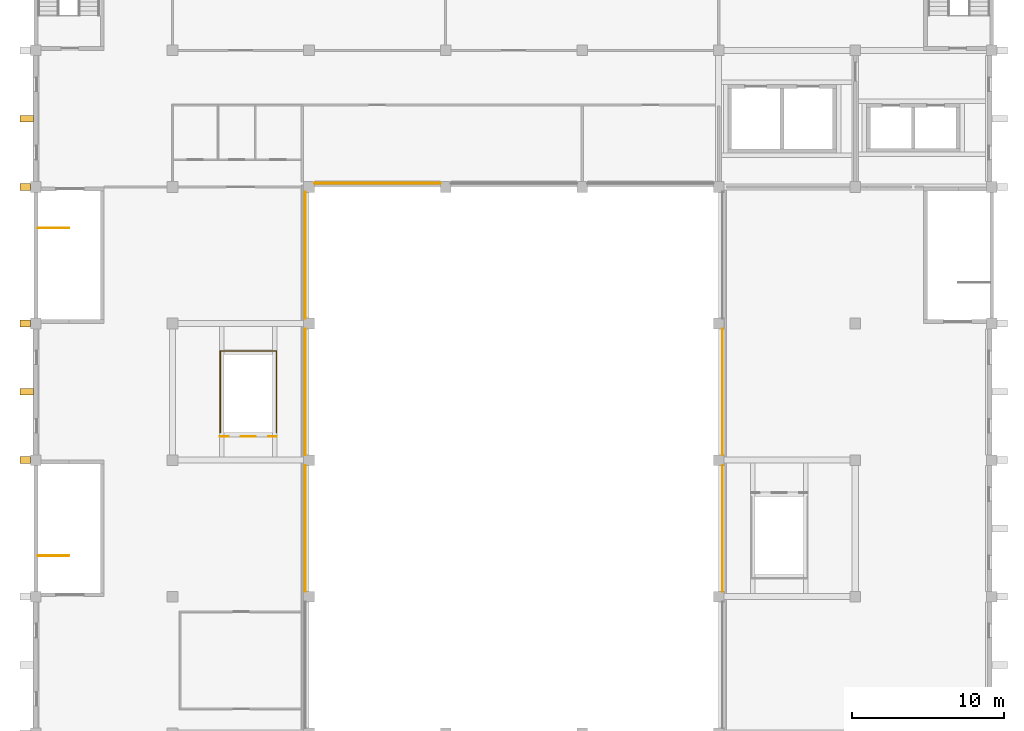
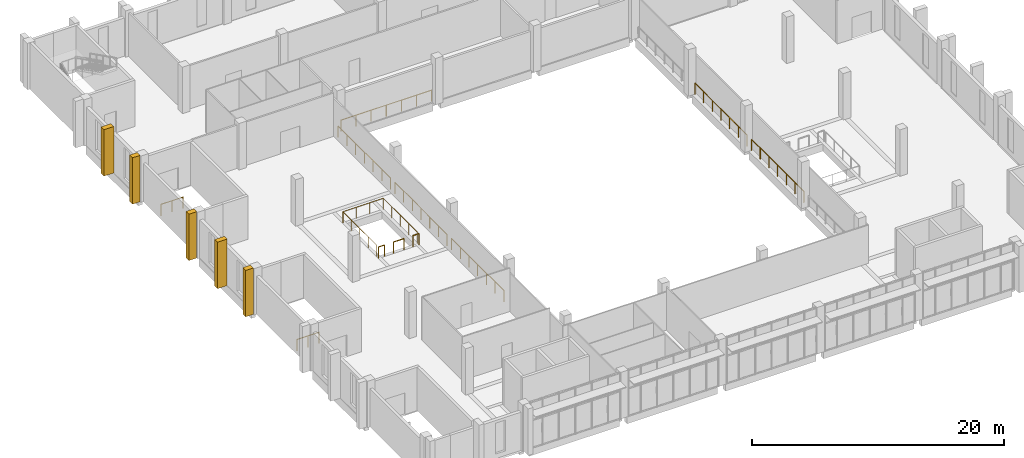
# One storey, part 36 of 40: 12 railings, 5 coverings.
"""IFC4 building model written with IfcOpenShell, lengths in metres."""

from ifc_helpers import new_model, si_unit, direction, frame, origin, origin_2d, place, context, subcontext, project, spatial, rectangle, circle, extrude, material, layer, layer_set, type_object, element, save


model = new_model("IFC4")

# Units and contexts
model_context = context("Model", 3, precision=1e-05, world=origin(), true_north=direction((0.0, 1.0)))
body_context = subcontext(model_context, "Body", "Model", "MODEL_VIEW")
ifc_project = project(units=[si_unit("LENGTHUNIT", "METRE"), si_unit("AREAUNIT", "SQUARE_METRE"), si_unit("VOLUMEUNIT", "CUBIC_METRE"), si_unit("PLANEANGLEUNIT", "RADIAN"), si_unit("MASSUNIT", "GRAM", prefix="KILO")], contexts=[model_context])

# Site, building, storey
site_placement = place(None, origin())
site = spatial("IfcSite", under=ifc_project, at=site_placement, CompositionType="ELEMENT")
building_placement = place(site_placement, origin())
building = spatial("IfcBuilding", under=site, at=building_placement, Name="Guidao Yard Department Store", CompositionType="ELEMENT")
storey_placement = place(building_placement, frame((0.0, 0.0, 24.0)))
storey = spatial("IfcBuildingStorey", under=building, at=storey_placement, Name="L05", CompositionType="ELEMENT", Elevation=24.0)

# Railings
ifc_material_1 = material(Name="Steel Q235", Category="steel")
railing_type = type_object("IfcRailingType", Name="Guard steel balustrade 1100", PredefinedType="GUARDRAIL", material=ifc_material_1)
for number, where, name in (
    (1, (2.175048828125, 65.699951171875, 0.0), "Stair A1 guard L05 1"),
    (2, (2.175048828125, 87.300048828125, 0.0), "Stair A3 guard L05 3"),
):
    element("IfcRailing", number, at=place(storey_placement, frame(where)), inside=storey, type_object=railing_type, Name=name, PredefinedType="GUARDRAIL", context=body_context, shape_type="SweptSolid", body=[
        extrude(circle(Radius=0.02392578125, at=origin_2d()), frame((0.0, 0.0, 1.076171875), z_axis=(-1.0, 0.0, 0.0), x_axis=(0.0, -1.0, 0.0)), (0.0, 0.0, 1.0), 2.050048828125),
        extrude(circle(Radius=0.02099609375, at=origin_2d()), origin(), (0.0, 0.0, 1.0), 1.052001953125),
        extrude(circle(Radius=0.02099609375, at=origin_2d()), frame((-1.02490234375, 0.0, 0.0)), (0.0, 0.0, 1.0), 1.052001953125),
        extrude(circle(Radius=0.02099609375, at=origin_2d()), frame((-2.050048828125, 0.0, 0.0)), (0.0, 0.0, 1.0), 1.052001953125),
    ])
railing_1_placement = place(storey_placement, frame((12.14990234375, 73.555908203125, 0.0)))
element("IfcRailing", 3, at=railing_1_placement, inside=storey, type_object=railing_type, Name="Guard escalator EH10 arrival 1", PredefinedType="GUARDRAIL", context=body_context, shape_type="SweptSolid", body=[
    extrude(circle(Radius=0.02392578125, at=origin_2d()), frame((0.0, 0.0, 1.076171875), z_axis=(1.0, 0.0, 0.0), x_axis=(0.0, 1.0, 0.0)), (0.0, 0.0, 1.0), 0.530029296875),
    extrude(circle(Radius=0.02099609375, at=origin_2d()), origin(), (0.0, 0.0, 1.0), 1.052001953125),
    extrude(circle(Radius=0.02099609375, at=origin_2d()), frame((0.530029296875, 0.0, 0.0)), (0.0, 0.0, 1.0), 1.052001953125),
])
railing_2_placement = place(storey_placement, frame((13.52001953125, 73.555908203125, 0.0)))
element("IfcRailing", 4, at=railing_2_placement, inside=storey, type_object=railing_type, Name="Guard escalator EH10 arrival 2", PredefinedType="GUARDRAIL", context=body_context, shape_type="SweptSolid", body=[
    extrude(circle(Radius=0.02392578125, at=origin_2d()), frame((0.0, 0.0, 1.076171875), z_axis=(1.0, 0.0, 0.0), x_axis=(0.0, 1.0, 0.0)), (0.0, 0.0, 1.0), 0.9599609375),
    extrude(circle(Radius=0.02099609375, at=origin_2d()), origin(), (0.0, 0.0, 1.0), 1.052001953125),
    extrude(circle(Radius=0.02099609375, at=origin_2d()), frame((0.9599609375, 0.0, 0.0)), (0.0, 0.0, 1.0), 1.052001953125),
])
railing_3_placement = place(storey_placement, frame((15.320068359375, 73.555908203125, 0.0)))
element("IfcRailing", 5, at=railing_3_placement, inside=storey, type_object=railing_type, Name="Guard escalator EH10 arrival 3", PredefinedType="GUARDRAIL", context=body_context, shape_type="SweptSolid", body=[
    extrude(circle(Radius=0.02392578125, at=origin_2d()), frame((0.0, 0.0, 1.076171875), z_axis=(1.0, 0.0, 0.0), x_axis=(0.0, 1.0, 0.0)), (0.0, 0.0, 1.0), 0.530029296875),
    extrude(circle(Radius=0.02099609375, at=origin_2d()), origin(), (0.0, 0.0, 1.0), 1.052001953125),
    extrude(circle(Radius=0.02099609375, at=origin_2d()), frame((0.530029296875, 0.0, 0.0)), (0.0, 0.0, 1.0), 1.052001953125),
])
for number, where, name in (
    (6, (45.25, 63.35009765625, 0.0), "Guard atrium E L05"),
    (7, (45.25, 72.35009765625, 0.0), "Guard atrium E L05"),
):
    element("IfcRailing", number, at=place(storey_placement, frame(where)), inside=storey, type_object=railing_type, Name=name, PredefinedType="GUARDRAIL", context=body_context, shape_type="SweptSolid", body=[
        extrude(circle(Radius=0.02392578125, at=origin_2d()), frame((0.0, 0.0, 1.076171875), z_axis=(0.0, 1.0, 0.0), x_axis=(-1.0, 0.0, 0.0)), (0.0, 0.0, 1.0), 8.2998046875),
        extrude(circle(Radius=0.02099609375, at=origin_2d()), origin(), (0.0, 0.0, 1.0), 1.052001953125),
        extrude(circle(Radius=0.02099609375, at=origin_2d()), frame((0.0, 1.38330078125, 0.0)), (0.0, 0.0, 1.0), 1.052001953125),
        extrude(circle(Radius=0.02099609375, at=origin_2d()), frame((0.0, 2.7666015625, 0.0)), (0.0, 0.0, 1.0), 1.052001953125),
        extrude(circle(Radius=0.02099609375, at=origin_2d()), frame((0.0, 4.14990234375, 0.0)), (0.0, 0.0, 1.0), 1.052001953125),
        extrude(circle(Radius=0.02099609375, at=origin_2d()), frame((0.0, 5.533203125, 0.0)), (0.0, 0.0, 1.0), 1.052001953125),
        extrude(circle(Radius=0.02099609375, at=origin_2d()), frame((0.0, 6.91650390625, 0.0)), (0.0, 0.0, 1.0), 1.052001953125),
        extrude(circle(Radius=0.02099609375, at=origin_2d()), frame((0.0, 8.2998046875, 0.0)), (0.0, 0.0, 1.0), 1.052001953125),
    ])
railing_4_placement = place(storey_placement, frame((26.64990234375, 90.25, 0.0)))
element("IfcRailing", 8, at=railing_4_placement, inside=storey, type_object=railing_type, Name="Guard atrium N L05", PredefinedType="GUARDRAIL", context=body_context, shape_type="SweptSolid", body=[
    extrude(circle(Radius=0.02392578125, at=origin_2d()), frame((0.0, 0.0, 1.076171875), z_axis=(-1.0, 0.0, 0.0), x_axis=(0.0, -1.0, 0.0)), (0.0, 0.0, 1.0), 8.2998046875),
    extrude(circle(Radius=0.02099609375, at=origin_2d()), origin(), (0.0, 0.0, 1.0), 1.052001953125),
    extrude(circle(Radius=0.02099609375, at=origin_2d()), frame((-1.38330078125, 0.0, 0.0)), (0.0, 0.0, 1.0), 1.052001953125),
    extrude(circle(Radius=0.02099609375, at=origin_2d()), frame((-2.7666015625, 0.0, 0.0)), (0.0, 0.0, 1.0), 1.052001953125),
    extrude(circle(Radius=0.02099609375, at=origin_2d()), frame((-4.14990234375, 0.0, 0.0)), (0.0, 0.0, 1.0), 1.052001953125),
    extrude(circle(Radius=0.02099609375, at=origin_2d()), frame((-5.533203125, 0.0, 0.0)), (0.0, 0.0, 1.0), 1.052001953125),
    extrude(circle(Radius=0.02099609375, at=origin_2d()), frame((-6.91650390625, 0.0, 0.0)), (0.0, 0.0, 1.0), 1.052001953125),
    extrude(circle(Radius=0.02099609375, at=origin_2d()), frame((-8.2998046875, 0.0, 0.0)), (0.0, 0.0, 1.0), 1.052001953125),
])
for number, where, name in (
    (9, (17.75, 89.64990234375, 0.0), "Guard atrium W L05"),
    (10, (17.75, 80.64990234375, 0.0), "Guard atrium W L05"),
    (11, (17.75, 71.64990234375, 0.0), "Guard atrium W L05"),
):
    element("IfcRailing", number, at=place(storey_placement, frame(where)), inside=storey, type_object=railing_type, Name=name, PredefinedType="GUARDRAIL", context=body_context, shape_type="SweptSolid", body=[
        extrude(circle(Radius=0.02392578125, at=origin_2d()), frame((0.0, 0.0, 1.076171875), z_axis=(0.0, -1.0, 0.0), x_axis=(1.0, 0.0, 0.0)), (0.0, 0.0, 1.0), 8.2998046875),
        extrude(circle(Radius=0.02099609375, at=origin_2d()), origin(), (0.0, 0.0, 1.0), 1.052001953125),
        extrude(circle(Radius=0.02099609375, at=origin_2d()), frame((0.0, -1.38330078125, 0.0)), (0.0, 0.0, 1.0), 1.052001953125),
        extrude(circle(Radius=0.02099609375, at=origin_2d()), frame((0.0, -2.7666015625, 0.0)), (0.0, 0.0, 1.0), 1.052001953125),
        extrude(circle(Radius=0.02099609375, at=origin_2d()), frame((0.0, -4.14990234375, 0.0)), (0.0, 0.0, 1.0), 1.052001953125),
        extrude(circle(Radius=0.02099609375, at=origin_2d()), frame((0.0, -5.533203125, 0.0)), (0.0, 0.0, 1.0), 1.052001953125),
        extrude(circle(Radius=0.02099609375, at=origin_2d()), frame((0.0, -6.91650390625, 0.0)), (0.0, 0.0, 1.0), 1.052001953125),
        extrude(circle(Radius=0.02099609375, at=origin_2d()), frame((0.0, -8.2998046875, 0.0)), (0.0, 0.0, 1.0), 1.052001953125),
    ])
railing_5_placement = place(storey_placement, frame((15.85009765625, 73.805908203125, 0.0)))
element("IfcRailing", 12, at=railing_5_placement, inside=storey, type_object=railing_type, Name="Guard well EH10 L05", PredefinedType="GUARDRAIL", context=body_context, shape_type="SweptSolid", body=[
    extrude(circle(Radius=0.02392578125, at=origin_2d()), frame((0.0, 0.0, 1.076171875), z_axis=(0.0, 1.0, 0.0), x_axis=(-1.0, 0.0, 0.0)), (0.0, 0.0, 1.0), 5.38818359375),
    extrude(circle(Radius=0.02392578125, at=origin_2d()), frame((0.0, 5.38818359375, 1.076171875), z_axis=(-1.0, 0.0, 0.0), x_axis=(0.0, -1.0, 0.0)), (0.0, 0.0, 1.0), 3.7001953125),
    extrude(circle(Radius=0.02392578125, at=origin_2d()), frame((-3.7001953125, 5.38818359375, 1.076171875), z_axis=(0.0, -1.0, 0.0), x_axis=(1.0, 0.0, 0.0)), (0.0, 0.0, 1.0), 5.38818359375),
    extrude(circle(Radius=0.02099609375, at=origin_2d()), origin(), (0.0, 0.0, 1.0), 1.052001953125),
    extrude(circle(Radius=0.02099609375, at=origin_2d()), frame((0.0, 1.34716796875, 0.0)), (0.0, 0.0, 1.0), 1.052001953125),
    extrude(circle(Radius=0.02099609375, at=origin_2d()), frame((0.0, 2.694091796875, 0.0)), (0.0, 0.0, 1.0), 1.052001953125),
    extrude(circle(Radius=0.02099609375, at=origin_2d()), frame((0.0, 4.041015625, 0.0)), (0.0, 0.0, 1.0), 1.052001953125),
    extrude(circle(Radius=0.02099609375, at=origin_2d()), frame((0.0, 5.38818359375, 0.0)), (0.0, 0.0, 1.0), 1.052001953125),
    extrude(circle(Radius=0.02099609375, at=origin_2d()), frame((-1.2333984375, 5.38818359375, 0.0)), (0.0, 0.0, 1.0), 1.052001953125),
    extrude(circle(Radius=0.02099609375, at=origin_2d()), frame((-2.466796875, 5.38818359375, 0.0)), (0.0, 0.0, 1.0), 1.052001953125),
    extrude(circle(Radius=0.02099609375, at=origin_2d()), frame((-3.7001953125, 5.38818359375, 0.0)), (0.0, 0.0, 1.0), 1.052001953125),
    extrude(circle(Radius=0.02099609375, at=origin_2d()), frame((-3.7001953125, 4.041015625, 0.0)), (0.0, 0.0, 1.0), 1.052001953125),
    extrude(circle(Radius=0.02099609375, at=origin_2d()), frame((-3.7001953125, 2.694091796875, 0.0)), (0.0, 0.0, 1.0), 1.052001953125),
    extrude(circle(Radius=0.02099609375, at=origin_2d()), frame((-3.7001953125, 1.34716796875, 0.0)), (0.0, 0.0, 1.0), 1.052001953125),
    extrude(circle(Radius=0.02099609375, at=origin_2d()), frame((-3.7001953125, 0.0, 0.0)), (0.0, 0.0, 1.0), 1.052001953125),
])

# Coverings
ifc_material_2 = material(Name="Precast concrete C40/50", Category="concrete")
ifc_layer = layer(ifc_material_2, 0.449951171875)
ifc_layer_set = layer_set([ifc_layer], Name="Precast fin FN1 board-formed concrete")
covering_type = type_object("IfcCoveringType", Name="Precast fin FN1 board-formed concrete", PredefinedType="CLADDING", material=ifc_layer_set)
covering_1_placement = place(storey_placement, frame((-0.699951171875, 72.0, 0.0), z_axis=(0.0, 0.0, 1.0), x_axis=(0.0, 1.0, 0.0)))
element("IfcCovering", 13, at=covering_1_placement, inside=storey, type_object=covering_type, Name="Precast fin", PredefinedType="CLADDING", context=body_context, shape_type="SweptSolid", body=[
    extrude(rectangle(XDim=0.449951171875, YDim=0.699951171875, at=origin_2d()), origin(), (0.0, 0.0, 1.0), 4.5),
])
covering_2_placement = place(storey_placement, frame((-0.60009765625, 76.5, 0.0), z_axis=(0.0, 0.0, 1.0), x_axis=(0.0, 1.0, 0.0)))
element("IfcCovering", 14, at=covering_2_placement, inside=storey, type_object=covering_type, Name="Precast fin", PredefinedType="CLADDING", context=body_context, shape_type="SweptSolid", body=[
    extrude(rectangle(XDim=0.449951171875, YDim=0.89990234375, at=origin_2d()), origin(), (0.0, 0.0, 1.0), 4.5),
])
for number, where, z_axis, x_axis, name in (
    (15, (-0.699951171875, 81.0, 0.0), (0.0, 0.0, 1.0), (0.0, 1.0, 0.0), "Precast fin"),
    (16, (-0.699951171875, 90.0, 0.0), (0.0, 0.0, 1.0), (0.0, 1.0, 0.0), "Precast fin"),
):
    element("IfcCovering", number, at=place(storey_placement, frame(where, z_axis=z_axis, x_axis=x_axis)), inside=storey, type_object=covering_type, Name=name, PredefinedType="CLADDING", context=body_context, shape_type="SweptSolid", body=[
        extrude(rectangle(XDim=0.449951171875, YDim=0.699951171875, at=origin_2d()), origin(), (0.0, 0.0, 1.0), 4.5),
    ])
covering_3_placement = place(storey_placement, frame((-0.60009765625, 94.5, 0.0), z_axis=(0.0, 0.0, 1.0), x_axis=(0.0, 1.0, 0.0)))
element("IfcCovering", 17, at=covering_3_placement, inside=storey, type_object=covering_type, Name="Precast fin", PredefinedType="CLADDING", context=body_context, shape_type="SweptSolid", body=[
    extrude(rectangle(XDim=0.449951171875, YDim=0.89990234375, at=origin_2d()), origin(), (0.0, 0.0, 1.0), 4.5),
])

save(model, "model.ifc")
